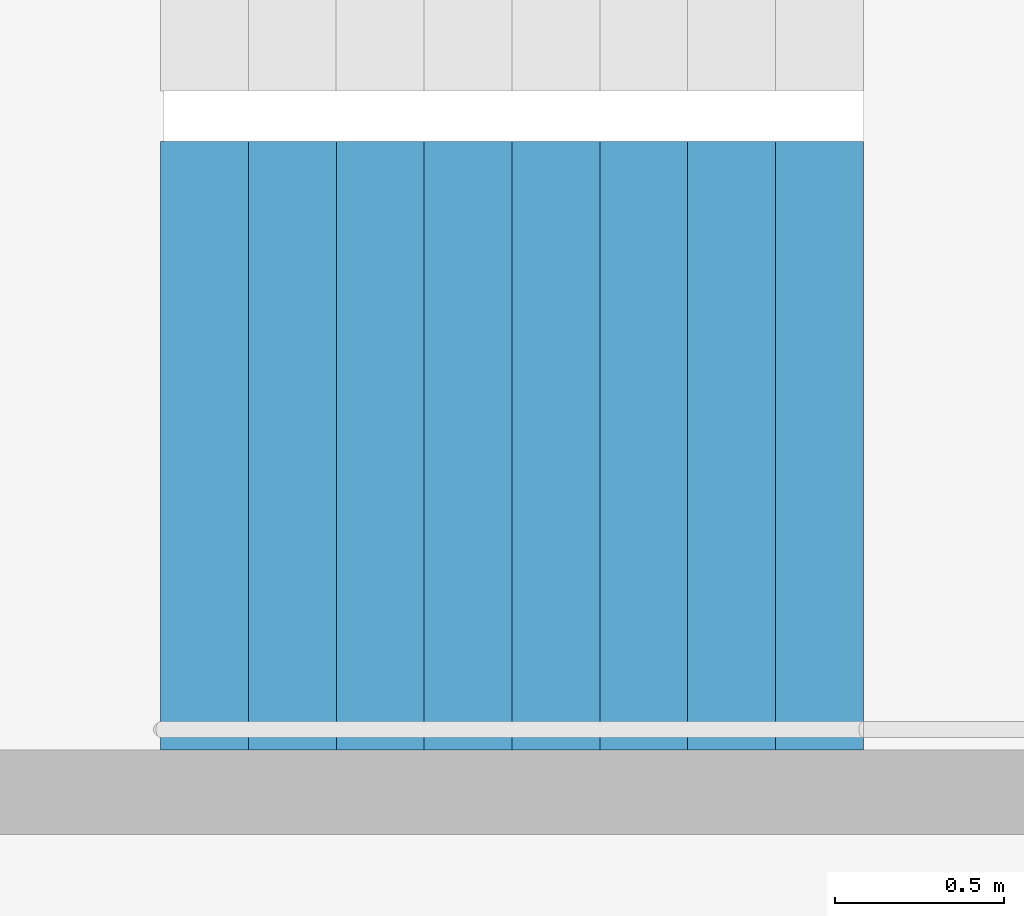
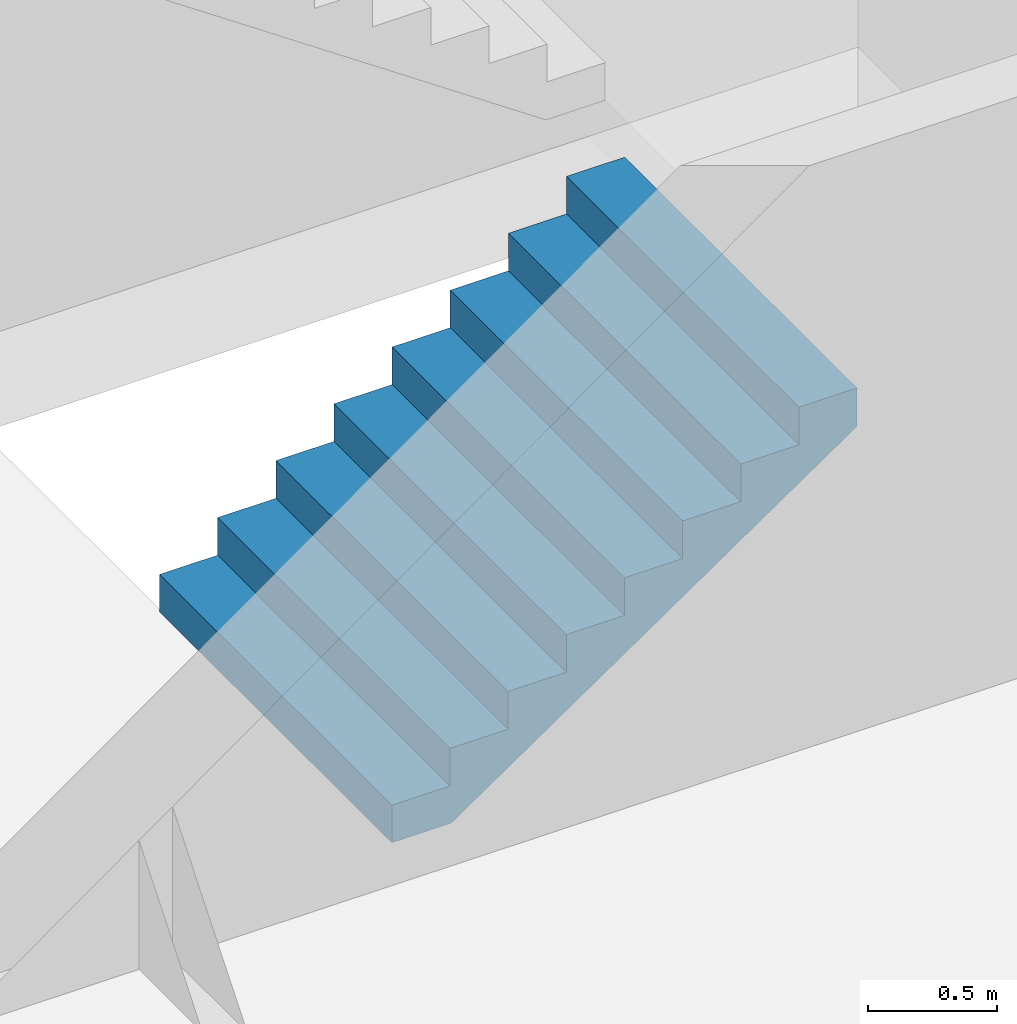
# One storey, part 20 of 26: 1 stair flight, 1 element without a shape of its own.
"""IFC4 building model written with IfcOpenShell, lengths in metres."""

from ifc_helpers import new_model, si_unit, direction, frame, origin, place, context, subcontext, project, spatial, triangles, material, type_object, element, aggregate, save


model = new_model("IFC4")

# Units and contexts
model_context = context("Model", 3, precision=1e-05, world=origin(), true_north=direction((0.0, 1.0)))
body_context = subcontext(model_context, "Body", "Model", "MODEL_VIEW")
ifc_project = project(units=[si_unit("LENGTHUNIT", "METRE"), si_unit("AREAUNIT", "SQUARE_METRE"), si_unit("VOLUMEUNIT", "CUBIC_METRE"), si_unit("PLANEANGLEUNIT", "RADIAN"), si_unit("MASSUNIT", "GRAM", prefix="KILO")], contexts=[model_context])

# Site, building, storey
site_placement = place(None, origin())
site = spatial("IfcSite", under=ifc_project, at=site_placement, CompositionType="ELEMENT")
building_placement = place(site_placement, origin())
building = spatial("IfcBuilding", under=site, at=building_placement, Name="Hakoniwa Tower and Hamabe Station Hall", CompositionType="ELEMENT")
storey_placement = place(building_placement, frame((0.0, 0.0, 169.39990234375)))
storey = spatial("IfcBuildingStorey", under=building, at=storey_placement, Name="L48", CompositionType="ELEMENT", Elevation=169.39990234375)

# Stair, stair flight
ifc_material_1 = material(Name="Concrete C40", Category="concrete")
stair_type = type_object("IfcStairType", Name="ESCAPE STAIR 1800", PredefinedType="HALF_TURN_STAIR", material=ifc_material_1)
stair_placement = place(storey_placement, origin())
stair = element("IfcStair", 1, at=stair_placement, inside=storey, type_object=stair_type, Name="Escape stair ST-1 L48", PredefinedType="HALF_TURN_STAIR")
ifc_material_2 = material(Name="Concrete C40", Category="concrete")
stair_flight_type = type_object("IfcStairFlightType", Name="STAIR FLIGHT 1800", PredefinedType="STRAIGHT", material=ifc_material_2)
stair_flight_placement = place(storey_placement, frame((-24.39990234375, 4.64990234375, 0.0), z_axis=(0.0, 0.0, 1.0), x_axis=(1.0, 0.0, 0.0)))
stair_flight = element("IfcStairFlight", 2, at=stair_flight_placement, type_object=stair_flight_type, Name="ST-1 flight 1", NumberOfRisers=9, NumberOfTreads=8, PredefinedType="STRAIGHT", RiserHeight=0.177777778, TreadLength=0.26, context=body_context, shape_type="Tessellation", body=[
    triangles([(0.0, 0.89990234375, 0.0), (0.260009765625, 0.89990234375, 0.0), (0.265625, 0.89990234375, 0.0), (0.52001953125, 0.89990234375, 0.174072265625), (0.780029296875, 0.89990234375, 0.351806640625), (1.0400390625, 0.89990234375, 0.529541015625), (1.300048828125, 0.89990234375, 0.707275390625), (1.56005859375, 0.89990234375, 0.885009765625), (1.820068359375, 0.89990234375, 1.062744140625), (2.080078125, 0.89990234375, 1.24072265625), (2.080078125, 0.89990234375, 1.422119140625), (1.820068359375, 0.89990234375, 1.422119140625), (1.820068359375, 0.89990234375, 1.244384765625), (1.56005859375, 0.89990234375, 1.244384765625), (1.56005859375, 0.89990234375, 1.066650390625), (1.300048828125, 0.89990234375, 1.066650390625), (1.300048828125, 0.89990234375, 0.888916015625), (1.0400390625, 0.89990234375, 0.888916015625), (1.0400390625, 0.89990234375, 0.711181640625), (0.780029296875, 0.89990234375, 0.711181640625), (0.780029296875, 0.89990234375, 0.533447265625), (0.52001953125, 0.89990234375, 0.533447265625), (0.52001953125, 0.89990234375, 0.35546875), (0.265625, 0.89990234375, 0.35546875), (0.260009765625, 0.89990234375, 0.35546875), (0.260009765625, 0.89990234375, 0.177734375), (0.0, 0.89990234375, 0.177734375), (0.0, 0.06005859375, 0.0), (0.260009765625, 0.06005859375, 0.0), (0.265625, 0.06005859375, 0.0), (0.52001953125, 0.06005859375, 0.174072265625), (0.780029296875, 0.06005859375, 0.351806640625), (1.0400390625, 0.06005859375, 0.529541015625), (1.300048828125, 0.06005859375, 0.707275390625), (1.56005859375, 0.06005859375, 0.885009765625), (1.820068359375, 0.06005859375, 1.062744140625), (2.080078125, 0.06005859375, 1.24072265625), (2.080078125, 0.06005859375, 1.422119140625), (1.820068359375, 0.06005859375, 1.422119140625), (1.820068359375, 0.06005859375, 1.244384765625), (1.56005859375, 0.06005859375, 1.244384765625), (1.56005859375, 0.06005859375, 1.066650390625), (1.300048828125, 0.06005859375, 1.066650390625), (1.300048828125, 0.06005859375, 0.888916015625), (1.0400390625, 0.06005859375, 0.888916015625), (1.0400390625, 0.06005859375, 0.711181640625), (0.780029296875, 0.06005859375, 0.711181640625), (0.780029296875, 0.06005859375, 0.533447265625), (0.52001953125, 0.06005859375, 0.533447265625), (0.52001953125, 0.06005859375, 0.35546875), (0.265625, 0.06005859375, 0.35546875), (0.260009765625, 0.06005859375, 0.35546875), (0.260009765625, 0.06005859375, 0.177734375), (0.0, 0.06005859375, 0.177734375), (0.0, 0.04296875, 0.0), (0.260009765625, 0.04296875, 0.0), (0.265625, 0.04296875, 0.0), (0.52001953125, 0.04296875, 0.174072265625), (0.780029296875, 0.04296875, 0.351806640625), (1.0400390625, 0.04296875, 0.529541015625), (1.300048828125, 0.04296875, 0.707275390625), (1.56005859375, 0.04296875, 0.885009765625), (1.820068359375, 0.04296875, 1.062744140625), (2.080078125, 0.04296875, 1.24072265625), (2.080078125, 0.04296875, 1.422119140625), (1.820068359375, 0.04296875, 1.422119140625), (1.820068359375, 0.04296875, 1.244384765625), (1.56005859375, 0.04296875, 1.244384765625), (1.56005859375, 0.04296875, 1.066650390625), (1.300048828125, 0.04296875, 1.066650390625), (1.300048828125, 0.04296875, 0.888916015625), (1.0400390625, 0.04296875, 0.888916015625), (1.0400390625, 0.04296875, 0.711181640625), (0.780029296875, 0.04296875, 0.711181640625), (0.780029296875, 0.04296875, 0.533447265625), (0.52001953125, 0.04296875, 0.533447265625), (0.52001953125, 0.04296875, 0.35546875), (0.265625, 0.04296875, 0.35546875), (0.260009765625, 0.04296875, 0.35546875), (0.260009765625, 0.04296875, 0.177734375), (0.0, 0.04296875, 0.177734375), (0.0, 0.025634765625, 0.0), (0.260009765625, 0.025634765625, 0.0), (0.265625, 0.025634765625, 0.0), (0.52001953125, 0.025634765625, 0.174072265625), (0.780029296875, 0.025634765625, 0.351806640625), (1.0400390625, 0.025634765625, 0.529541015625), (1.300048828125, 0.025634765625, 0.707275390625), (1.56005859375, 0.025634765625, 0.885009765625), (1.820068359375, 0.025634765625, 1.062744140625), (2.080078125, 0.025634765625, 1.24072265625), (2.080078125, 0.025634765625, 1.422119140625), (1.820068359375, 0.025634765625, 1.422119140625), (1.820068359375, 0.025634765625, 1.244384765625), (1.56005859375, 0.025634765625, 1.244384765625), (1.56005859375, 0.025634765625, 1.066650390625), (1.300048828125, 0.025634765625, 1.066650390625), (1.300048828125, 0.025634765625, 0.888916015625), (1.0400390625, 0.025634765625, 0.888916015625), (1.0400390625, 0.025634765625, 0.711181640625), (0.780029296875, 0.025634765625, 0.711181640625), (0.780029296875, 0.025634765625, 0.533447265625), (0.52001953125, 0.025634765625, 0.533447265625), (0.52001953125, 0.025634765625, 0.35546875), (0.265625, 0.025634765625, 0.35546875), (0.260009765625, 0.025634765625, 0.35546875), (0.260009765625, 0.025634765625, 0.177734375), (0.0, 0.025634765625, 0.177734375), (0.0, 0.008544921875, 0.0), (0.260009765625, 0.008544921875, 0.0), (0.265625, 0.008544921875, 0.0), (0.52001953125, 0.008544921875, 0.174072265625), (0.780029296875, 0.008544921875, 0.351806640625), (1.0400390625, 0.008544921875, 0.529541015625), (1.300048828125, 0.008544921875, 0.707275390625), (1.56005859375, 0.008544921875, 0.885009765625), (1.820068359375, 0.008544921875, 1.062744140625), (2.080078125, 0.008544921875, 1.24072265625), (2.080078125, 0.008544921875, 1.422119140625), (1.820068359375, 0.008544921875, 1.422119140625), (1.820068359375, 0.008544921875, 1.244384765625), (1.56005859375, 0.008544921875, 1.244384765625), (1.56005859375, 0.008544921875, 1.066650390625), (1.300048828125, 0.008544921875, 1.066650390625), (1.300048828125, 0.008544921875, 0.888916015625), (1.0400390625, 0.008544921875, 0.888916015625), (1.0400390625, 0.008544921875, 0.711181640625), (0.780029296875, 0.008544921875, 0.711181640625), (0.780029296875, 0.008544921875, 0.533447265625), (0.52001953125, 0.008544921875, 0.533447265625), (0.52001953125, 0.008544921875, 0.35546875), (0.265625, 0.008544921875, 0.35546875), (0.260009765625, 0.008544921875, 0.35546875), (0.260009765625, 0.008544921875, 0.177734375), (0.0, 0.008544921875, 0.177734375), (0.0, -0.008544921875, 0.0), (0.260009765625, -0.008544921875, 0.0), (0.265625, -0.008544921875, 0.0), (0.52001953125, -0.008544921875, 0.174072265625), (0.780029296875, -0.008544921875, 0.351806640625), (1.0400390625, -0.008544921875, 0.529541015625), (1.300048828125, -0.008544921875, 0.707275390625), (1.56005859375, -0.008544921875, 0.885009765625), (1.820068359375, -0.008544921875, 1.062744140625), (2.080078125, -0.008544921875, 1.24072265625), (2.080078125, -0.008544921875, 1.422119140625), (1.820068359375, -0.008544921875, 1.422119140625), (1.820068359375, -0.008544921875, 1.244384765625), (1.56005859375, -0.008544921875, 1.244384765625), (1.56005859375, -0.008544921875, 1.066650390625), (1.300048828125, -0.008544921875, 1.066650390625), (1.300048828125, -0.008544921875, 0.888916015625), (1.0400390625, -0.008544921875, 0.888916015625), (1.0400390625, -0.008544921875, 0.711181640625), (0.780029296875, -0.008544921875, 0.711181640625), (0.780029296875, -0.008544921875, 0.533447265625), (0.52001953125, -0.008544921875, 0.533447265625), (0.52001953125, -0.008544921875, 0.35546875), (0.265625, -0.008544921875, 0.35546875), (0.260009765625, -0.008544921875, 0.35546875), (0.260009765625, -0.008544921875, 0.177734375), (0.0, -0.008544921875, 0.177734375), (0.0, -0.025634765625, 0.0), (0.260009765625, -0.025634765625, 0.0), (0.265625, -0.025634765625, 0.0), (0.52001953125, -0.025634765625, 0.174072265625), (0.780029296875, -0.025634765625, 0.351806640625), (1.0400390625, -0.025634765625, 0.529541015625), (1.300048828125, -0.025634765625, 0.707275390625), (1.56005859375, -0.025634765625, 0.885009765625), (1.820068359375, -0.025634765625, 1.062744140625), (2.080078125, -0.025634765625, 1.24072265625), (2.080078125, -0.025634765625, 1.422119140625), (1.820068359375, -0.025634765625, 1.422119140625), (1.820068359375, -0.025634765625, 1.244384765625), (1.56005859375, -0.025634765625, 1.244384765625), (1.56005859375, -0.025634765625, 1.066650390625), (1.300048828125, -0.025634765625, 1.066650390625), (1.300048828125, -0.025634765625, 0.888916015625), (1.0400390625, -0.025634765625, 0.888916015625), (1.0400390625, -0.025634765625, 0.711181640625), (0.780029296875, -0.025634765625, 0.711181640625), (0.780029296875, -0.025634765625, 0.533447265625), (0.52001953125, -0.025634765625, 0.533447265625), (0.52001953125, -0.025634765625, 0.35546875), (0.265625, -0.025634765625, 0.35546875), (0.260009765625, -0.025634765625, 0.35546875), (0.260009765625, -0.025634765625, 0.177734375), (0.0, -0.025634765625, 0.177734375), (0.0, -0.04296875, 0.0), (0.260009765625, -0.04296875, 0.0), (0.265625, -0.04296875, 0.0), (0.52001953125, -0.04296875, 0.174072265625), (0.780029296875, -0.04296875, 0.351806640625), (1.0400390625, -0.04296875, 0.529541015625), (1.300048828125, -0.04296875, 0.707275390625), (1.56005859375, -0.04296875, 0.885009765625), (1.820068359375, -0.04296875, 1.062744140625), (2.080078125, -0.04296875, 1.24072265625), (2.080078125, -0.04296875, 1.422119140625), (1.820068359375, -0.04296875, 1.422119140625), (1.820068359375, -0.04296875, 1.244384765625), (1.56005859375, -0.04296875, 1.244384765625), (1.56005859375, -0.04296875, 1.066650390625), (1.300048828125, -0.04296875, 1.066650390625), (1.300048828125, -0.04296875, 0.888916015625), (1.0400390625, -0.04296875, 0.888916015625), (1.0400390625, -0.04296875, 0.711181640625), (0.780029296875, -0.04296875, 0.711181640625), (0.780029296875, -0.04296875, 0.533447265625), (0.52001953125, -0.04296875, 0.533447265625), (0.52001953125, -0.04296875, 0.35546875), (0.265625, -0.04296875, 0.35546875), (0.260009765625, -0.04296875, 0.35546875), (0.260009765625, -0.04296875, 0.177734375), (0.0, -0.04296875, 0.177734375), (0.0, -0.06005859375, 0.0), (0.260009765625, -0.06005859375, 0.0), (0.265625, -0.06005859375, 0.0), (0.52001953125, -0.06005859375, 0.174072265625), (0.780029296875, -0.06005859375, 0.351806640625), (1.0400390625, -0.06005859375, 0.529541015625), (1.300048828125, -0.06005859375, 0.707275390625), (1.56005859375, -0.06005859375, 0.885009765625), (1.820068359375, -0.06005859375, 1.062744140625), (2.080078125, -0.06005859375, 1.24072265625), (2.080078125, -0.06005859375, 1.422119140625), (1.820068359375, -0.06005859375, 1.422119140625), (1.820068359375, -0.06005859375, 1.244384765625), (1.56005859375, -0.06005859375, 1.244384765625), (1.56005859375, -0.06005859375, 1.066650390625), (1.300048828125, -0.06005859375, 1.066650390625), (1.300048828125, -0.06005859375, 0.888916015625), (1.0400390625, -0.06005859375, 0.888916015625), (1.0400390625, -0.06005859375, 0.711181640625), (0.780029296875, -0.06005859375, 0.711181640625), (0.780029296875, -0.06005859375, 0.533447265625), (0.52001953125, -0.06005859375, 0.533447265625), (0.52001953125, -0.06005859375, 0.35546875), (0.265625, -0.06005859375, 0.35546875), (0.260009765625, -0.06005859375, 0.35546875), (0.260009765625, -0.06005859375, 0.177734375), (0.0, -0.06005859375, 0.177734375), (0.0, -0.89990234375, 0.0), (0.260009765625, -0.89990234375, 0.0), (0.265625, -0.89990234375, 0.0), (0.52001953125, -0.89990234375, 0.174072265625), (0.780029296875, -0.89990234375, 0.351806640625), (1.0400390625, -0.89990234375, 0.529541015625), (1.300048828125, -0.89990234375, 0.707275390625), (1.56005859375, -0.89990234375, 0.885009765625), (1.820068359375, -0.89990234375, 1.062744140625), (2.080078125, -0.89990234375, 1.24072265625), (2.080078125, -0.89990234375, 1.422119140625), (1.820068359375, -0.89990234375, 1.422119140625), (1.820068359375, -0.89990234375, 1.244384765625), (1.56005859375, -0.89990234375, 1.244384765625), (1.56005859375, -0.89990234375, 1.066650390625), (1.300048828125, -0.89990234375, 1.066650390625), (1.300048828125, -0.89990234375, 0.888916015625), (1.0400390625, -0.89990234375, 0.888916015625), (1.0400390625, -0.89990234375, 0.711181640625), (0.780029296875, -0.89990234375, 0.711181640625), (0.780029296875, -0.89990234375, 0.533447265625), (0.52001953125, -0.89990234375, 0.533447265625), (0.52001953125, -0.89990234375, 0.35546875), (0.265625, -0.89990234375, 0.35546875), (0.260009765625, -0.89990234375, 0.35546875), (0.260009765625, -0.89990234375, 0.177734375), (0.0, -0.89990234375, 0.177734375)], [[2, 27, 26], [245, 269, 270], [2, 1, 27], [245, 270, 244], [3, 25, 24], [246, 267, 268], [3, 26, 25], [246, 268, 269], [3, 2, 26], [246, 269, 245], [4, 24, 23], [247, 266, 267], [4, 3, 24], [247, 267, 246], [5, 22, 21], [248, 264, 265], [5, 23, 22], [248, 265, 266], [5, 4, 23], [248, 266, 247], [6, 20, 19], [249, 262, 263], [6, 21, 20], [249, 263, 264], [6, 5, 21], [249, 264, 248], [7, 18, 17], [250, 260, 261], [7, 19, 18], [250, 261, 262], [7, 6, 19], [250, 262, 249], [8, 16, 15], [251, 258, 259], [8, 17, 16], [251, 259, 260], [8, 7, 17], [251, 260, 250], [9, 14, 13], [252, 256, 257], [9, 15, 14], [252, 257, 258], [9, 8, 15], [252, 258, 251], [10, 12, 11], [253, 254, 255], [10, 13, 12], [253, 255, 256], [10, 9, 13], [253, 256, 252], [1, 2, 29], [1, 29, 28], [28, 29, 56], [28, 56, 55], [55, 56, 83], [55, 83, 82], [82, 83, 110], [82, 110, 109], [109, 110, 137], [109, 137, 136], [136, 137, 164], [136, 164, 163], [163, 164, 191], [163, 191, 190], [190, 191, 218], [190, 218, 217], [217, 218, 245], [217, 245, 244], [2, 3, 30], [2, 30, 29], [29, 30, 57], [29, 57, 56], [56, 57, 84], [56, 84, 83], [83, 84, 111], [83, 111, 110], [110, 111, 138], [110, 138, 137], [137, 138, 165], [137, 165, 164], [164, 165, 192], [164, 192, 191], [191, 192, 219], [191, 219, 218], [218, 219, 246], [218, 246, 245], [3, 4, 31], [3, 31, 30], [30, 31, 58], [30, 58, 57], [57, 58, 85], [57, 85, 84], [84, 85, 112], [84, 112, 111], [111, 112, 139], [111, 139, 138], [138, 139, 166], [138, 166, 165], [165, 166, 193], [165, 193, 192], [192, 193, 220], [192, 220, 219], [219, 220, 247], [219, 247, 246], [4, 5, 32], [4, 32, 31], [31, 32, 59], [31, 59, 58], [58, 59, 86], [58, 86, 85], [85, 86, 113], [85, 113, 112], [112, 113, 140], [112, 140, 139], [139, 140, 167], [139, 167, 166], [166, 167, 194], [166, 194, 193], [193, 194, 221], [193, 221, 220], [220, 221, 248], [220, 248, 247], [5, 6, 33], [5, 33, 32], [32, 33, 60], [32, 60, 59], [59, 60, 87], [59, 87, 86], [86, 87, 114], [86, 114, 113], [113, 114, 141], [113, 141, 140], [140, 141, 168], [140, 168, 167], [167, 168, 195], [167, 195, 194], [194, 195, 222], [194, 222, 221], [221, 222, 249], [221, 249, 248], [6, 7, 34], [6, 34, 33], [33, 34, 61], [33, 61, 60], [60, 61, 88], [60, 88, 87], [87, 88, 115], [87, 115, 114], [114, 115, 142], [114, 142, 141], [141, 142, 169], [141, 169, 168], [168, 169, 196], [168, 196, 195], [195, 196, 223], [195, 223, 222], [222, 223, 250], [222, 250, 249], [7, 8, 35], [7, 35, 34], [34, 35, 62], [34, 62, 61], [61, 62, 89], [61, 89, 88], [88, 89, 116], [88, 116, 115], [115, 116, 143], [115, 143, 142], [142, 143, 170], [142, 170, 169], [169, 170, 197], [169, 197, 196], [196, 197, 224], [196, 224, 223], [223, 224, 251], [223, 251, 250], [8, 9, 36], [8, 36, 35], [35, 36, 63], [35, 63, 62], [62, 63, 90], [62, 90, 89], [89, 90, 117], [89, 117, 116], [116, 117, 144], [116, 144, 143], [143, 144, 171], [143, 171, 170], [170, 171, 198], [170, 198, 197], [197, 198, 225], [197, 225, 224], [224, 225, 252], [224, 252, 251], [9, 10, 37], [9, 37, 36], [36, 37, 64], [36, 64, 63], [63, 64, 91], [63, 91, 90], [90, 91, 118], [90, 118, 117], [117, 118, 145], [117, 145, 144], [144, 145, 172], [144, 172, 171], [171, 172, 199], [171, 199, 198], [198, 199, 226], [198, 226, 225], [225, 226, 253], [225, 253, 252], [10, 11, 38], [10, 38, 37], [37, 38, 65], [37, 65, 64], [64, 65, 92], [64, 92, 91], [91, 92, 119], [91, 119, 118], [118, 119, 146], [118, 146, 145], [145, 146, 173], [145, 173, 172], [172, 173, 200], [172, 200, 199], [199, 200, 227], [199, 227, 226], [226, 227, 254], [226, 254, 253], [11, 12, 39], [11, 39, 38], [38, 39, 66], [38, 66, 65], [65, 66, 93], [65, 93, 92], [92, 93, 120], [92, 120, 119], [119, 120, 147], [119, 147, 146], [146, 147, 174], [146, 174, 173], [173, 174, 201], [173, 201, 200], [200, 201, 228], [200, 228, 227], [227, 228, 255], [227, 255, 254], [12, 13, 40], [12, 40, 39], [39, 40, 67], [39, 67, 66], [66, 67, 94], [66, 94, 93], [93, 94, 121], [93, 121, 120], [120, 121, 148], [120, 148, 147], [147, 148, 175], [147, 175, 174], [174, 175, 202], [174, 202, 201], [201, 202, 229], [201, 229, 228], [228, 229, 256], [228, 256, 255], [13, 14, 41], [13, 41, 40], [40, 41, 68], [40, 68, 67], [67, 68, 95], [67, 95, 94], [94, 95, 122], [94, 122, 121], [121, 122, 149], [121, 149, 148], [148, 149, 176], [148, 176, 175], [175, 176, 203], [175, 203, 202], [202, 203, 230], [202, 230, 229], [229, 230, 257], [229, 257, 256], [14, 15, 42], [14, 42, 41], [41, 42, 69], [41, 69, 68], [68, 69, 96], [68, 96, 95], [95, 96, 123], [95, 123, 122], [122, 123, 150], [122, 150, 149], [149, 150, 177], [149, 177, 176], [176, 177, 204], [176, 204, 203], [203, 204, 231], [203, 231, 230], [230, 231, 258], [230, 258, 257], [15, 16, 43], [15, 43, 42], [42, 43, 70], [42, 70, 69], [69, 70, 97], [69, 97, 96], [96, 97, 124], [96, 124, 123], [123, 124, 151], [123, 151, 150], [150, 151, 178], [150, 178, 177], [177, 178, 205], [177, 205, 204], [204, 205, 232], [204, 232, 231], [231, 232, 259], [231, 259, 258], [16, 17, 44], [16, 44, 43], [43, 44, 71], [43, 71, 70], [70, 71, 98], [70, 98, 97], [97, 98, 125], [97, 125, 124], [124, 125, 152], [124, 152, 151], [151, 152, 179], [151, 179, 178], [178, 179, 206], [178, 206, 205], [205, 206, 233], [205, 233, 232], [232, 233, 260], [232, 260, 259], [17, 18, 45], [17, 45, 44], [44, 45, 72], [44, 72, 71], [71, 72, 99], [71, 99, 98], [98, 99, 126], [98, 126, 125], [125, 126, 153], [125, 153, 152], [152, 153, 180], [152, 180, 179], [179, 180, 207], [179, 207, 206], [206, 207, 234], [206, 234, 233], [233, 234, 261], [233, 261, 260], [18, 19, 46], [18, 46, 45], [45, 46, 73], [45, 73, 72], [72, 73, 100], [72, 100, 99], [99, 100, 127], [99, 127, 126], [126, 127, 154], [126, 154, 153], [153, 154, 181], [153, 181, 180], [180, 181, 208], [180, 208, 207], [207, 208, 235], [207, 235, 234], [234, 235, 262], [234, 262, 261], [19, 20, 47], [19, 47, 46], [46, 47, 74], [46, 74, 73], [73, 74, 101], [73, 101, 100], [100, 101, 128], [100, 128, 127], [127, 128, 155], [127, 155, 154], [154, 155, 182], [154, 182, 181], [181, 182, 209], [181, 209, 208], [208, 209, 236], [208, 236, 235], [235, 236, 263], [235, 263, 262], [20, 21, 48], [20, 48, 47], [47, 48, 75], [47, 75, 74], [74, 75, 102], [74, 102, 101], [101, 102, 129], [101, 129, 128], [128, 129, 156], [128, 156, 155], [155, 156, 183], [155, 183, 182], [182, 183, 210], [182, 210, 209], [209, 210, 237], [209, 237, 236], [236, 237, 264], [236, 264, 263], [21, 22, 49], [21, 49, 48], [48, 49, 76], [48, 76, 75], [75, 76, 103], [75, 103, 102], [102, 103, 130], [102, 130, 129], [129, 130, 157], [129, 157, 156], [156, 157, 184], [156, 184, 183], [183, 184, 211], [183, 211, 210], [210, 211, 238], [210, 238, 237], [237, 238, 265], [237, 265, 264], [22, 23, 50], [22, 50, 49], [49, 50, 77], [49, 77, 76], [76, 77, 104], [76, 104, 103], [103, 104, 131], [103, 131, 130], [130, 131, 158], [130, 158, 157], [157, 158, 185], [157, 185, 184], [184, 185, 212], [184, 212, 211], [211, 212, 239], [211, 239, 238], [238, 239, 266], [238, 266, 265], [23, 24, 51], [23, 51, 50], [50, 51, 78], [50, 78, 77], [77, 78, 105], [77, 105, 104], [104, 105, 132], [104, 132, 131], [131, 132, 159], [131, 159, 158], [158, 159, 186], [158, 186, 185], [185, 186, 213], [185, 213, 212], [212, 213, 240], [212, 240, 239], [239, 240, 267], [239, 267, 266], [24, 25, 52], [24, 52, 51], [51, 52, 79], [51, 79, 78], [78, 79, 106], [78, 106, 105], [105, 106, 133], [105, 133, 132], [132, 133, 160], [132, 160, 159], [159, 160, 187], [159, 187, 186], [186, 187, 214], [186, 214, 213], [213, 214, 241], [213, 241, 240], [240, 241, 268], [240, 268, 267], [25, 26, 53], [25, 53, 52], [52, 53, 80], [52, 80, 79], [79, 80, 107], [79, 107, 106], [106, 107, 134], [106, 134, 133], [133, 134, 161], [133, 161, 160], [160, 161, 188], [160, 188, 187], [187, 188, 215], [187, 215, 214], [214, 215, 242], [214, 242, 241], [241, 242, 269], [241, 269, 268], [26, 27, 54], [26, 54, 53], [53, 54, 81], [53, 81, 80], [80, 81, 108], [80, 108, 107], [107, 108, 135], [107, 135, 134], [134, 135, 162], [134, 162, 161], [161, 162, 189], [161, 189, 188], [188, 189, 216], [188, 216, 215], [215, 216, 243], [215, 243, 242], [242, 243, 270], [242, 270, 269], [27, 1, 28], [27, 28, 54], [54, 28, 55], [54, 55, 81], [81, 55, 82], [81, 82, 108], [108, 82, 109], [108, 109, 135], [135, 109, 136], [135, 136, 162], [162, 136, 163], [162, 163, 189], [189, 163, 190], [189, 190, 216], [216, 190, 217], [216, 217, 243], [243, 217, 244], [243, 244, 270]], closed=True),
])
aggregate(stair, [stair_flight])

save(model, "model.ifc")
